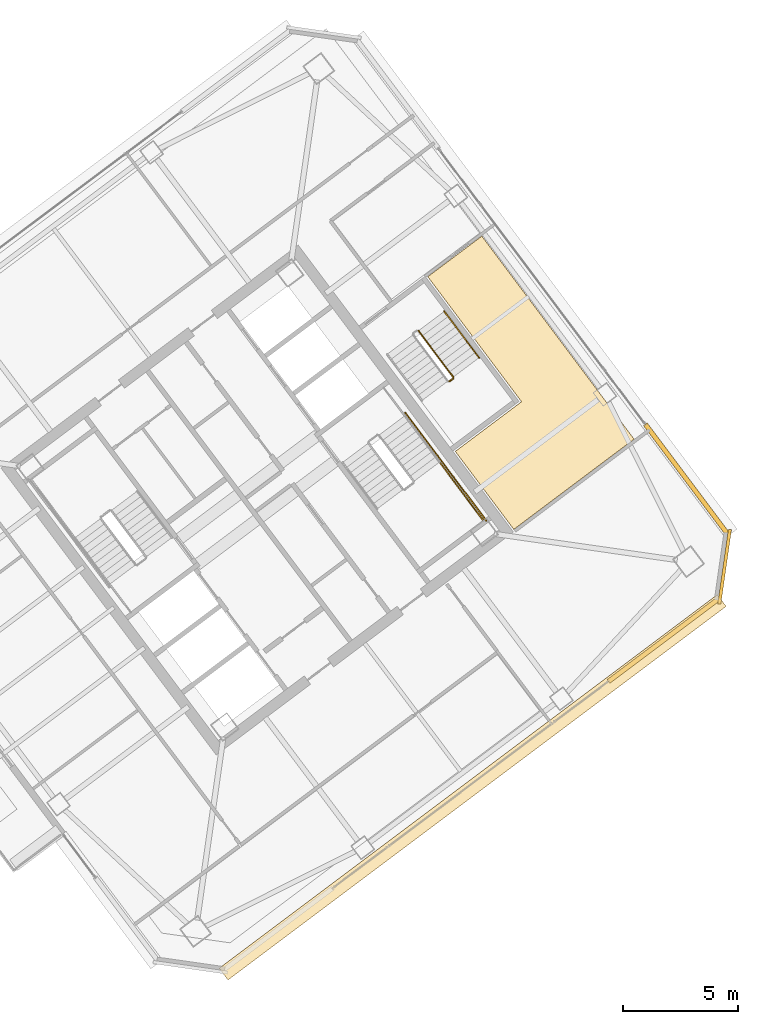
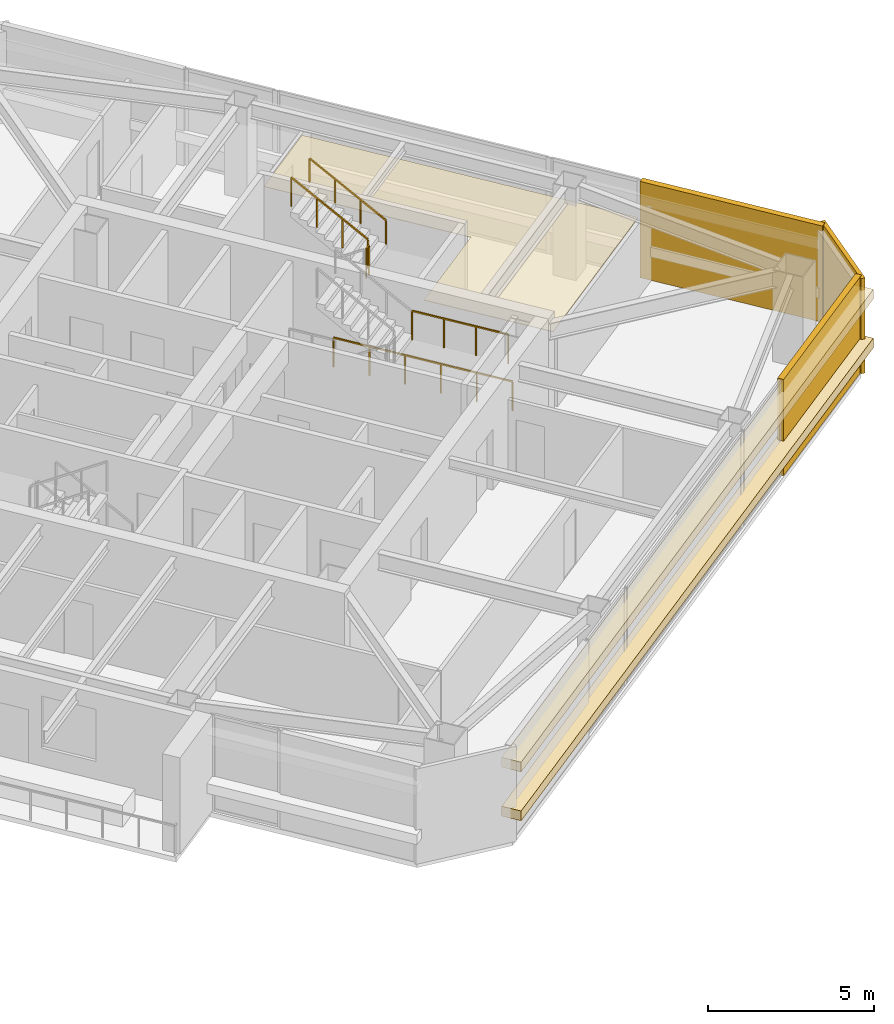
# One storey, part 38 of 39: 6 coverings, 5 railings.
"""IFC4 building model written with IfcOpenShell, lengths in metres."""

from ifc_helpers import new_model, si_unit, direction, frame, origin, origin_2d, place, context, subcontext, project, spatial, polyline, rectangle, outline, extrude, material, layer, layer_set, type_object, element, save


model = new_model("IFC4")

# Units and contexts
model_context = context("Model", 3, precision=1e-05, world=origin(), true_north=direction((0.0, 1.0)))
body_context = subcontext(model_context, "Body", "Model", "MODEL_VIEW")
ifc_project = project(units=[si_unit("LENGTHUNIT", "METRE"), si_unit("AREAUNIT", "SQUARE_METRE"), si_unit("VOLUMEUNIT", "CUBIC_METRE"), si_unit("PLANEANGLEUNIT", "RADIAN"), si_unit("MASSUNIT", "GRAM", prefix="KILO")], contexts=[model_context])

# Site, building, storey
site_placement = place(None, origin())
site = spatial("IfcSite", under=ifc_project, at=site_placement, CompositionType="ELEMENT")
building_placement = place(site_placement, origin())
building = spatial("IfcBuilding", under=site, at=building_placement, Name="Tashvorn Skyway Center", CompositionType="ELEMENT")
storey_placement = place(building_placement, frame((0.0, 0.0, 225.5)))
storey = spatial("IfcBuildingStorey", under=building, at=storey_placement, Name="L61", CompositionType="ELEMENT", Elevation=225.5)

# Coverings
ifc_material_1 = material(Name="Precast concrete C40/50", Category="concrete")
ifc_layer_1 = layer(ifc_material_1, 0.199951171875)
ifc_layer_set_1 = layer_set([ifc_layer_1], Name="Precast concrete C40/50")
covering_type_1 = type_object("IfcCoveringType", Name="COV-BRACE-CLAD", PredefinedType="CLADDING", material=ifc_layer_set_1)
for number, where, z_axis, x_axis, name in (
    (1, (131.675537109375, 25.90673828125, 0.0), (0.0, 0.0, 1.0), (-0.799999996291, -0.600000004945, 0.0), "Tower 2 L61 South Unitised Curtain Wall Mega-Brace Cladding Band 1"),
    (2, (132.674560546875, 32.900390625, 0.0), (0.0, 0.0, 1.0), (0.600000004945, -0.799999996291, 0.0), "Tower 2 L61 East Unitised Curtain Wall Mega-Brace Cladding Band 2"),
):
    element("IfcCovering", number, at=place(storey_placement, frame(where, z_axis=z_axis, x_axis=x_axis)), inside=storey, type_object=covering_type_1, Name=name, PredefinedType="CLADDING", context=body_context, shape_type="SweptSolid", body=[
        extrude(rectangle(XDim=5.9912109375, YDim=0.199951171875, at=origin_2d()), origin(), (0.0, 0.0, 1.0), 3.550048828125),
    ])
ifc_material_2 = material(Name="Mineral-fibre acoustic ceiling tile on suspended grid")
ifc_layer_2 = layer(ifc_material_2, 0.02001953125)
ifc_layer_set_2 = layer_set([ifc_layer_2], Name="Mineral-fibre acoustic ceiling tile on suspended grid")
covering_type_2 = type_object("IfcCoveringType", Name="COV-CEIL-20", PredefinedType="CEILING", material=ifc_layer_set_2)
covering_1_placement = place(storey_placement, frame((0.0, 0.0, 2.702880859375)))
element("IfcCovering", 3, at=covering_1_placement, inside=storey, type_object=covering_type_2, Name="Tower 2 L61 Corporate Office Acoustic Ceiling", PredefinedType="CEILING", context=body_context, shape_type="SweptSolid", body=[
    extrude(outline(polyline([(125.159912109375, 30.719970703125), (122.615966796875, 34.112060546875), (125.49609375, 36.27197265625), (121.416015625, 41.7119140625), (123.76806640625, 43.47607421875), (127.847900390625, 38.035888671875), (130.39208984375, 34.64404296875), (125.159912109375, 30.719970703125)])), origin(), (0.0, 0.0, 1.0), 0.02001953125),
])
ifc_material_3 = material(Name="Perforated ceramic-coated bronze aluminium solar screen", Category="aluminium")
ifc_layer_3 = layer(ifc_material_3, 0.85009765625)
ifc_layer_set_3 = layer_set([ifc_layer_3], Name="Perforated ceramic-coated bronze aluminium solar screen")
covering_type_3 = type_object("IfcCoveringType", Name="COV-SOLAR-BAND", PredefinedType="CLADDING", material=ifc_layer_set_3)
for number, where, z_axis, x_axis, name in (
    (4, (123.3720703125, 19.50390625, 0.919921875), (0.0, 0.0, 1.0), (-0.799999996291, -0.600000004945, 0.0), "L61 Perforated Ceramic-Metal Solar Screen Louvre Band South 1"),
    (5, (123.3720703125, 19.50390625, 2.7197265625), (0.0, 0.0, 1.0), (-0.799999996291, -0.600000004945, 0.0), "L61 Perforated Ceramic-Metal Solar Screen Louvre Band South 2"),
):
    element("IfcCovering", number, at=place(storey_placement, frame(where, z_axis=z_axis, x_axis=x_axis)), inside=storey, type_object=covering_type_3, Name=name, PredefinedType="CLADDING", context=body_context, shape_type="SweptSolid", body=[
        extrude(rectangle(XDim=27.080078125, YDim=0.639892578125, at=origin_2d()), origin(), (0.0, 0.0, 1.0), 0.360107421875),
    ])
ifc_layer_4 = layer(ifc_material_1, 0.35009765625)
ifc_layer_set_4 = layer_set([ifc_layer_4], Name="Precast concrete C40/50")
covering_type_4 = type_object("IfcCoveringType", Name="COV-STONE-TRIM", PredefinedType="CLADDING", material=ifc_layer_set_4)
covering_2_placement = place(storey_placement, frame((134.327880859375, 29.095947265625, 0.02001953125), z_axis=(0.0, 0.0, 1.0), x_axis=(0.141421350118, 0.989949494535, 0.0)))
element("IfcCovering", 6, at=covering_2_placement, inside=storey, type_object=covering_type_4, Name="Tower 2 L61 SE Mojave Limestone Corner Quoin", PredefinedType="CLADDING", context=body_context, shape_type="SweptSolid", body=[
    extrude(rectangle(XDim=3.271240234375, YDim=0.139892578125, at=origin_2d()), origin(), (0.0, 0.0, 1.0), 3.510009765625),
])

# Railings
ifc_material_4 = material(Name="Brushed stainless steel 316", Category="steel")
railing_type_1 = type_object("IfcRailingType", Name="RAIL-HAND-920", PredefinedType="HANDRAIL", material=ifc_material_4)
railing_1_placement = place(storey_placement, frame((123.64794921875, 38.18603515625, 1.952392578125)))
element("IfcRailing", 7, at=railing_1_placement, inside=storey, type_object=railing_type_1, Name="L61 ST-T2-3 stair handrail 2", PredefinedType="HANDRAIL", context=body_context, shape_type="SweptSolid", body=[
    extrude(rectangle(XDim=0.048095703125, YDim=0.048095703125, at=origin_2d()), frame((0.0, 0.0, 0.8759765625), z_axis=(-0.50674661542, 0.675634878657, 0.535467439255), x_axis=(-0.79998837352, -0.60001550166, 0.0)), (0.0, 0.0, 1.0), 2.983642578125),
    extrude(rectangle(XDim=0.0419921875, YDim=0.0419921875, at=origin_2d()), origin(), (0.0, 0.0, 1.0), 0.851806640625),
    extrude(rectangle(XDim=0.0419921875, YDim=0.0419921875, at=origin_2d()), frame((-0.50390625, 0.671875, 0.532470703125)), (0.0, 0.0, 1.0), 0.851806640625),
    extrude(rectangle(XDim=0.0419921875, YDim=0.0419921875, at=origin_2d()), frame((-1.008056640625, 1.343994140625, 1.065185546875)), (0.0, 0.0, 1.0), 0.851806640625),
    extrude(rectangle(XDim=0.0419921875, YDim=0.0419921875, at=origin_2d()), frame((-1.511962890625, 2.015869140625, 1.59765625)), (0.0, 0.0, 1.0), 0.851806640625),
])
ifc_material_5 = material(Name="Painted galvanized steel S355", Category="steel")
railing_type_2 = type_object("IfcRailingType", Name="RAIL-STGUARD-1100", PredefinedType="GUARDRAIL", material=ifc_material_5)
railing_2_placement = place(storey_placement, frame((121.927978515625, 33.64599609375, 1.77490234375)))
element("IfcRailing", 8, at=railing_2_placement, inside=storey, type_object=railing_type_2, Name="L61 ST-T2-2 stair guard 3", PredefinedType="GUARDRAIL", context=body_context, shape_type="SweptSolid", body=[
    extrude(rectangle(XDim=0.048095703125, YDim=0.048095703125, at=origin_2d()), frame((0.0, 0.0, 1.076171875), z_axis=(0.599987638607, -0.800009270896, 0.0), x_axis=(0.800009270896, 0.599987638607, 0.0)), (0.0, 0.0, 1.0), 3.16015625),
    extrude(rectangle(XDim=0.0419921875, YDim=0.0419921875, at=origin_2d()), origin(), (0.0, 0.0, 1.0), 1.052001953125),
    extrude(rectangle(XDim=0.0419921875, YDim=0.0419921875, at=origin_2d()), frame((0.632080078125, -0.8427734375, 0.0)), (0.0, 0.0, 1.0), 1.052001953125),
    extrude(rectangle(XDim=0.0419921875, YDim=0.0419921875, at=origin_2d()), frame((1.263916015625, -1.685302734375, 0.0)), (0.0, 0.0, 1.0), 1.052001953125),
    extrude(rectangle(XDim=0.0419921875, YDim=0.0419921875, at=origin_2d()), frame((1.89599609375, -2.528076171875, 0.0)), (0.0, 0.0, 1.0), 1.052001953125),
])
railing_3_placement = place(storey_placement, frame((120.43603515625, 35.802001953125, 0.0)))
element("IfcRailing", 9, at=railing_3_placement, inside=storey, type_object=railing_type_2, Name="L61 ST-T2-2 stair guard 7", PredefinedType="GUARDRAIL", context=body_context, shape_type="SweptSolid", body=[
    extrude(rectangle(XDim=0.048095703125, YDim=0.048095703125, at=origin_2d()), frame((0.0, 0.0, 1.076171875), z_axis=(0.6, -0.8, 0.0), x_axis=(0.8, 0.6, 0.0)), (0.0, 0.0, 1.0), 5.880126953125),
    extrude(rectangle(XDim=0.0419921875, YDim=0.0419921875, at=origin_2d()), origin(), (0.0, 0.0, 1.0), 1.052001953125),
    extrude(rectangle(XDim=0.0419921875, YDim=0.0419921875, at=origin_2d()), frame((0.70556640625, -0.94091796875, 0.0)), (0.0, 0.0, 1.0), 1.052001953125),
    extrude(rectangle(XDim=0.0419921875, YDim=0.0419921875, at=origin_2d()), frame((1.4111328125, -1.881591796875, 0.0)), (0.0, 0.0, 1.0), 1.052001953125),
    extrude(rectangle(XDim=0.0419921875, YDim=0.0419921875, at=origin_2d()), frame((2.116943359375, -2.822509765625, 0.0)), (0.0, 0.0, 1.0), 1.052001953125),
    extrude(rectangle(XDim=0.0419921875, YDim=0.0419921875, at=origin_2d()), frame((2.822509765625, -3.76318359375, 0.0)), (0.0, 0.0, 1.0), 1.052001953125),
    extrude(rectangle(XDim=0.0419921875, YDim=0.0419921875, at=origin_2d()), frame((3.528076171875, -4.7041015625, 0.0)), (0.0, 0.0, 1.0), 1.052001953125),
])
railing_4_placement = place(storey_placement, frame((122.35791015625, 37.156005859375, 1.77490234375)))
element("IfcRailing", 10, at=railing_4_placement, inside=storey, type_object=railing_type_2, Name="L61 ST-T2-3 stair guard 2", PredefinedType="GUARDRAIL", context=body_context, shape_type="SweptSolid", body=[
    extrude(rectangle(XDim=0.048095703125, YDim=0.048095703125, at=origin_2d()), frame((0.0, 0.0, 1.076171875), z_axis=(0.800585412921, 0.599218655098, 0.0), x_axis=(-0.599218655098, 0.800585412921, 0.0)), (0.0, 0.0, 1.0), 0.199951171875),
    extrude(rectangle(XDim=0.0419921875, YDim=0.0419921875, at=origin_2d()), origin(), (0.0, 0.0, 1.0), 1.052001953125),
    extrude(rectangle(XDim=0.0419921875, YDim=0.0419921875, at=origin_2d()), frame((0.16015625, 0.119873046875, 0.0)), (0.0, 0.0, 1.0), 1.052001953125),
])
railing_5_placement = place(storey_placement, frame((122.528076171875, 37.345947265625, 1.952392578125)))
element("IfcRailing", 11, at=railing_5_placement, inside=storey, type_object=railing_type_2, Name="L61 ST-T2-3 stair guard 3", PredefinedType="GUARDRAIL", context=body_context, shape_type="SweptSolid", body=[
    extrude(rectangle(XDim=0.048095703125, YDim=0.048095703125, at=origin_2d()), frame((0.0, 0.0, 1.076171875), z_axis=(-0.506718600913, 0.675679348675, 0.535437836974), x_axis=(-0.800023250257, -0.599968998406, 0.0)), (0.0, 0.0, 1.0), 2.98388671875),
    extrude(rectangle(XDim=0.0419921875, YDim=0.0419921875, at=origin_2d()), origin(), (0.0, 0.0, 1.0), 1.052001953125),
    extrude(rectangle(XDim=0.0419921875, YDim=0.0419921875, at=origin_2d()), frame((-0.50390625, 0.672119140625, 0.532470703125)), (0.0, 0.0, 1.0), 1.052001953125),
    extrude(rectangle(XDim=0.0419921875, YDim=0.0419921875, at=origin_2d()), frame((-1.008056640625, 1.343994140625, 1.065185546875)), (0.0, 0.0, 1.0), 1.052001953125),
    extrude(rectangle(XDim=0.0419921875, YDim=0.0419921875, at=origin_2d()), frame((-1.511962890625, 2.01611328125, 1.59765625)), (0.0, 0.0, 1.0), 1.052001953125),
])

save(model, "model.ifc")
